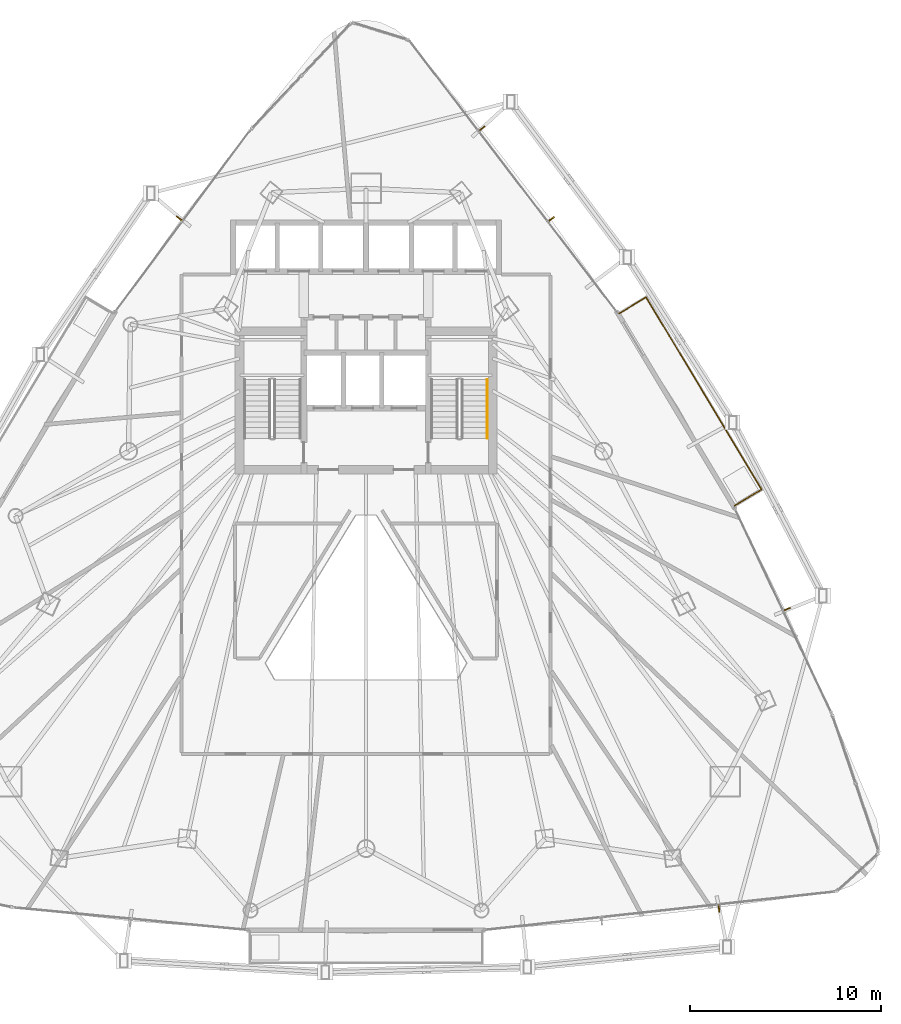
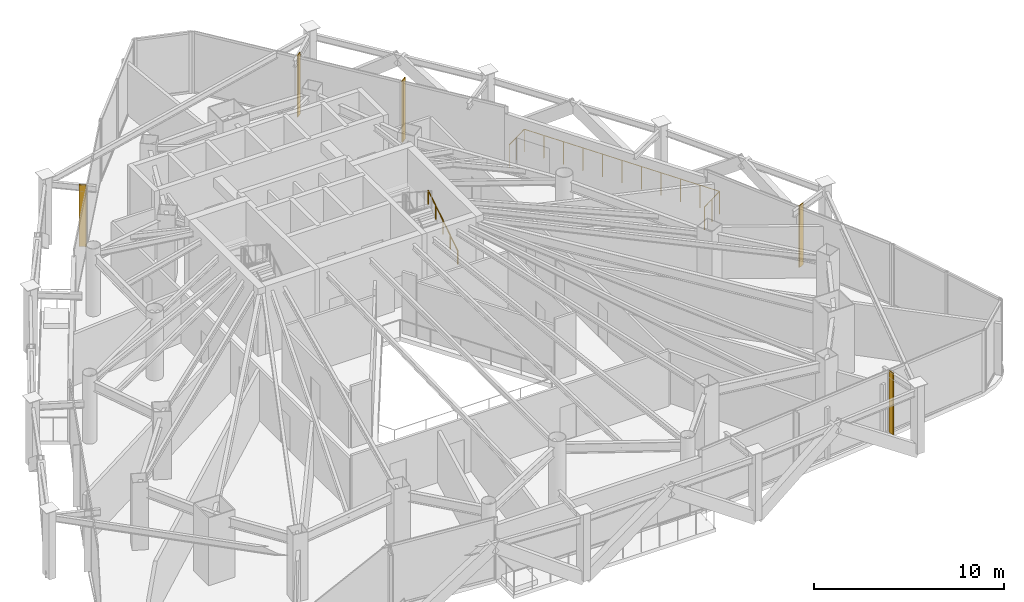
# One storey, part 33 of 33: 5 shading devices, 2 railings.
"""IFC4 building model written with IfcOpenShell, lengths in metres."""

from ifc_helpers import new_model, si_unit, direction, frame, origin, origin_2d, place, context, subcontext, project, spatial, rectangle, circle, extrude, material, layer, layer_set, type_object, element, save


model = new_model("IFC4")

# Units and contexts
model_context = context("Model", 3, precision=1e-05, world=origin(), true_north=direction((0.0, 1.0)))
body_context = subcontext(model_context, "Body", "Model", "MODEL_VIEW")
ifc_project = project(units=[si_unit("LENGTHUNIT", "METRE"), si_unit("AREAUNIT", "SQUARE_METRE"), si_unit("VOLUMEUNIT", "CUBIC_METRE"), si_unit("PLANEANGLEUNIT", "RADIAN"), si_unit("MASSUNIT", "GRAM", prefix="KILO")], contexts=[model_context])

# Site, building, storey
site_placement = place(None, origin())
site = spatial("IfcSite", under=ifc_project, at=site_placement, CompositionType="ELEMENT")
building_placement = place(site_placement, origin())
building = spatial("IfcBuilding", under=site, at=building_placement, Name="Orvanel Arch Residences", CompositionType="ELEMENT")
storey_placement = place(building_placement, frame((0.0, 0.0, 97.25)))
storey = spatial("IfcBuildingStorey", under=building, at=storey_placement, Name="L27", CompositionType="ELEMENT", Elevation=97.25)

# Shading devices
ifc_material_1 = material(Name="Bronze-anodised aluminium AA6063-T6", Category="aluminium")
ifc_layer = layer(ifc_material_1, 0.06005859375)
ifc_layer_set = layer_set([ifc_layer], Name="Bronze-anodised aluminium AA6063-T6")
shading_device_type = type_object("IfcShadingDeviceType", Name="FIN-BRZ-380", PredefinedType="USERDEFINED", material=ifc_layer_set)
for number, where, z_axis, x_axis, name in (
    (1, (23.22802734375, 39.822998046875, 0.0), (0.0, 0.0, 1.0), (-0.802817475191, 0.596224874966, 0.0), "L27 Anodised Bronze Mullion FIN 01"),
    (2, (51.47509765625, 3.700927734375, 0.0), (0.0, 0.0, 1.0), (0.107999355706, -0.994150963972, 0.0), "L27 Anodised Bronze Mullion FIN 02"),
    (3, (55.035888671875, 19.376953125, 0.0), (0.0, 0.0, 1.0), (0.904082549661, 0.427357863387, 0.0), "L27 Anodised Bronze Mullion FIN 01"),
    (4, (42.696044921875, 39.7890625, 0.0), (0.0, 0.0, 1.0), (0.794414620535, 0.607375839723, 0.0), "L27 Anodised Bronze Mullion FIN 01"),
    (5, (39.06689453125, 44.533935546875, 0.0), (0.0, 0.0, 1.0), (0.794414620535, 0.607375839723, 0.0), "L27 Anodised Bronze Mullion FIN 02"),
):
    element("IfcShadingDevice", number, at=place(storey_placement, frame(where, z_axis=z_axis, x_axis=x_axis)), inside=storey, type_object=shading_device_type, Name=name, ObjectType="FIN", PredefinedType="USERDEFINED", context=body_context, shape_type="SweptSolid", body=[
        extrude(rectangle(XDim=0.3798828125, YDim=0.06005859375, at=origin_2d()), origin(), (0.0, 0.0, 1.0), 3.949951171875),
    ])

# Railings
railing_type_1 = type_object("IfcRailingType", Name="RL-BAL-1480", PredefinedType="BALUSTRADE", material=ifc_material_1)
railing_1_placement = place(storey_placement, frame((52.2939453125, 24.7890625, 0.0)))
element("IfcRailing", 6, at=railing_1_placement, inside=storey, type_object=railing_type_1, Name="L27 Balcony Perimeter Guardrail Face 3", PredefinedType="BALUSTRADE", context=body_context, shape_type="SweptSolid", body=[
    extrude(circle(Radius=0.02392578125, at=origin_2d()), frame((0.001220703125, 0.000732421875, 1.4560546875), z_axis=(0.857545439568, 0.514408222208, 0.0), x_axis=(-0.514408222208, 0.857545439568, 0.0)), (0.0, 0.0, 1.0), 1.6376953125),
    extrude(circle(Radius=0.02392578125, at=origin_2d()), frame((1.40625, 0.84521484375, 1.4560546875), z_axis=(-0.514413176818, 0.857542467471, 0.0), x_axis=(-0.857542467471, -0.514413176818, 0.0)), (0.0, 0.0, 1.0), 11.736328125),
    extrude(circle(Radius=0.02392578125, at=origin_2d()), frame((-4.633056640625, 10.91015625, 1.4560546875), z_axis=(-0.857387817543, -0.514670895164, 0.0), x_axis=(0.514670895164, -0.857387817543, 0.0)), (0.0, 0.0, 1.0), 1.636962890625),
    extrude(circle(Radius=0.02099609375, at=origin_2d()), origin(), (0.0, 0.0, 1.0), 1.429931640625),
    extrude(circle(Radius=0.02099609375, at=origin_2d()), frame((0.70361328125, 0.421875, 0.0)), (0.0, 0.0, 1.0), 1.429931640625),
    extrude(circle(Radius=0.02099609375, at=origin_2d()), frame((1.406982421875, 0.843994140625, 0.0)), (0.0, 0.0, 1.0), 1.429931640625),
    extrude(circle(Radius=0.02099609375, at=origin_2d()), frame((0.80322265625, 1.8505859375, 0.0)), (0.0, 0.0, 1.0), 1.429931640625),
    extrude(circle(Radius=0.02099609375, at=origin_2d()), frame((0.19921875, 2.857421875, 0.0)), (0.0, 0.0, 1.0), 1.429931640625),
    extrude(circle(Radius=0.02099609375, at=origin_2d()), frame((-0.40478515625, 3.864013671875, 0.0)), (0.0, 0.0, 1.0), 1.429931640625),
    extrude(circle(Radius=0.02099609375, at=origin_2d()), frame((-1.008544921875, 4.870849609375, 0.0)), (0.0, 0.0, 1.0), 1.429931640625),
    extrude(circle(Radius=0.02099609375, at=origin_2d()), frame((-1.6123046875, 5.87744140625, 0.0)), (0.0, 0.0, 1.0), 1.429931640625),
    extrude(circle(Radius=0.02099609375, at=origin_2d()), frame((-2.21630859375, 6.884033203125, 0.0)), (0.0, 0.0, 1.0), 1.429931640625),
    extrude(circle(Radius=0.02099609375, at=origin_2d()), frame((-2.8203125, 7.890869140625, 0.0)), (0.0, 0.0, 1.0), 1.429931640625),
    extrude(circle(Radius=0.02099609375, at=origin_2d()), frame((-3.424072265625, 8.8974609375, 0.0)), (0.0, 0.0, 1.0), 1.429931640625),
    extrude(circle(Radius=0.02099609375, at=origin_2d()), frame((-4.02783203125, 9.904296875, 0.0)), (0.0, 0.0, 1.0), 1.429931640625),
    extrude(circle(Radius=0.02099609375, at=origin_2d()), frame((-4.6318359375, 10.910888671875, 0.0)), (0.0, 0.0, 1.0), 1.429931640625),
    extrude(circle(Radius=0.02099609375, at=origin_2d()), frame((-5.3349609375, 10.48876953125, 0.0)), (0.0, 0.0, 1.0), 1.429931640625),
    extrude(circle(Radius=0.02099609375, at=origin_2d()), frame((-6.037841796875, 10.06689453125, 0.0)), (0.0, 0.0, 1.0), 1.429931640625),
])
ifc_material_2 = material(Name="Structural steel AS/NZS 1163 C350L0 (Grade 350)", Category="steel")
railing_type_2 = type_object("IfcRailingType", Name="RL-STAIR-HAND", PredefinedType="HANDRAIL", material=ifc_material_2)
railing_2_placement = place(storey_placement, frame((39.35009765625, 28.320068359375, 0.18115234375)))
element("IfcRailing", 7, at=railing_2_placement, inside=storey, type_object=railing_type_2, Name="L27 ST-2 stair handrail 1", PredefinedType="HANDRAIL", context=body_context, shape_type="SweptSolid", body=[
    extrude(circle(Radius=0.02392578125, at=origin_2d()), frame((0.0, 0.001220703125, 0.876708984375), z_axis=(0.0, 0.839438020429, 0.543455435025), x_axis=(-1.0, 0.0, 0.0)), (0.0, 0.0, 1.0), 3.666015625),
    extrude(circle(Radius=0.02099609375, at=origin_2d()), origin(), (0.0, 0.0, 1.0), 0.849853515625),
    extrude(circle(Radius=0.02099609375, at=origin_2d()), frame((0.0, 0.77001953125, 0.49853515625)), (0.0, 0.0, 1.0), 0.849853515625),
    extrude(circle(Radius=0.02099609375, at=origin_2d()), frame((0.0, 1.5400390625, 0.9970703125)), (0.0, 0.0, 1.0), 0.849853515625),
    extrude(circle(Radius=0.02099609375, at=origin_2d()), frame((0.0, 2.309814453125, 1.495361328125)), (0.0, 0.0, 1.0), 0.849853515625),
    extrude(circle(Radius=0.02099609375, at=origin_2d()), frame((0.0, 3.079833984375, 1.993896484375)), (0.0, 0.0, 1.0), 0.849853515625),
])

save(model, "model.ifc")
